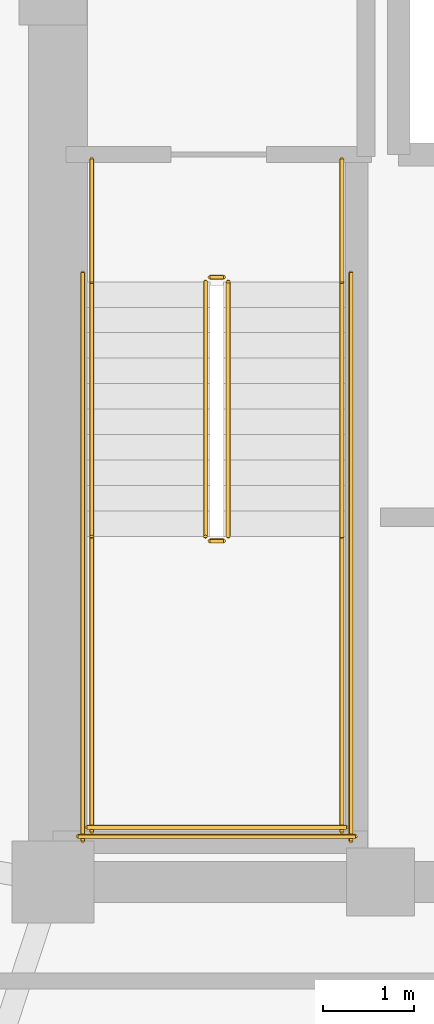
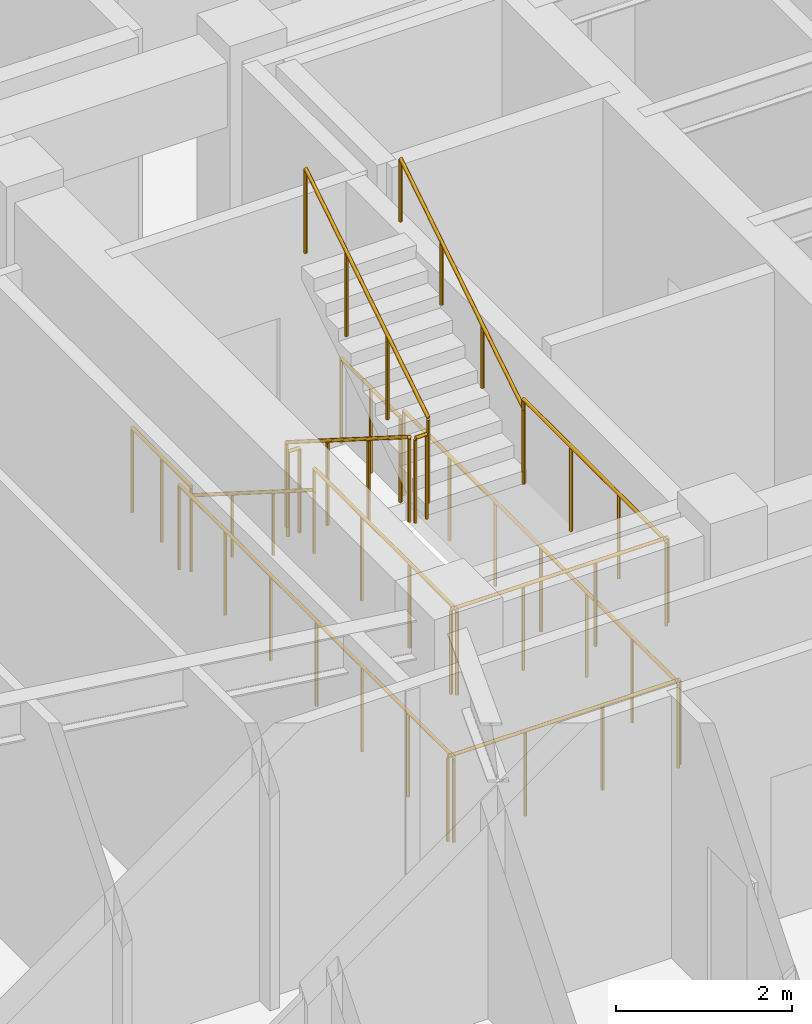
# One storey, part 10 of 11: 14 railings.
"""IFC4 building model written with IfcOpenShell, lengths in metres."""

from ifc_helpers import new_model, si_unit, direction, frame, origin, origin_2d, place, context, subcontext, project, spatial, circle, extrude, material, type_object, element, save


model = new_model("IFC4")

# Units and contexts
model_context = context("Model", 3, precision=1e-05, world=origin(), true_north=direction((0.0, 1.0)))
body_context = subcontext(model_context, "Body", "Model", "MODEL_VIEW")
ifc_project = project(units=[si_unit("LENGTHUNIT", "METRE"), si_unit("AREAUNIT", "SQUARE_METRE"), si_unit("VOLUMEUNIT", "CUBIC_METRE"), si_unit("PLANEANGLEUNIT", "RADIAN"), si_unit("MASSUNIT", "GRAM", prefix="KILO")], contexts=[model_context])

# Site, building, storey
site_placement = place(None, origin())
site = spatial("IfcSite", under=ifc_project, at=site_placement, CompositionType="ELEMENT")
building_placement = place(site_placement, origin())
building = spatial("IfcBuilding", under=site, at=building_placement, Name="Voryun Gate Residences", CompositionType="ELEMENT")
storey_placement = place(building_placement, frame((0.0, 0.0, 235.300048828125)))
storey = spatial("IfcBuildingStorey", under=building, at=storey_placement, Name="L58", CompositionType="ELEMENT", Elevation=235.300048828125)

# Railings
ifc_material_1 = material(Name="Painted steel", Category="steel")
railing_type_1 = type_object("IfcRailingType", Name="RAIL_STAIR_GUARD_1200", PredefinedType="GUARDRAIL", material=ifc_material_1)
railing_1_placement = place(storey_placement, frame((-17.52490234375, -0.800048828125, 0.17724609375)))
element("IfcRailing", 1, at=railing_1_placement, inside=storey, type_object=railing_type_1, Name="L58 ST-W1 stair guard 1", PredefinedType="GUARDRAIL", context=body_context, shape_type="SweptSolid", body=[
    extrude(circle(Radius=0.02392578125, at=origin_2d()), frame((0.0, 0.0, 1.17578125), z_axis=(0.0, -0.844908973607, 0.534910110503), x_axis=(1.0, 0.0, 0.0)), (0.0, 0.0, 1.0), 3.31396484375),
    extrude(circle(Radius=0.02099609375, at=origin_2d()), origin(), (0.0, 0.0, 1.0), 1.15185546875),
    extrude(circle(Radius=0.02099609375, at=origin_2d()), frame((0.0, -0.933349609375, 0.5908203125)), (0.0, 0.0, 1.0), 1.15185546875),
    extrude(circle(Radius=0.02099609375, at=origin_2d()), frame((0.0, -1.86669921875, 1.181884765625)), (0.0, 0.0, 1.0), 1.15185546875),
    extrude(circle(Radius=0.02099609375, at=origin_2d()), frame((0.0, -2.800048828125, 1.772705078125)), (0.0, 0.0, 1.0), 1.15185546875),
])
railing_2_placement = place(storey_placement, frame((-17.47509765625, -3.64990234375, 1.949951171875)))
element("IfcRailing", 2, at=railing_2_placement, inside=storey, type_object=railing_type_1, Name="L58 ST-W1 stair guard 2", PredefinedType="GUARDRAIL", context=body_context, shape_type="SweptSolid", body=[
    extrude(circle(Radius=0.02392578125, at=origin_2d()), frame((0.0, 0.0, 1.17578125), z_axis=(1.0, 0.0, 0.0), x_axis=(0.0, 1.0, 0.0)), (0.0, 0.0, 1.0), 0.150146484375),
    extrude(circle(Radius=0.02099609375, at=origin_2d()), origin(), (0.0, 0.0, 1.0), 1.15185546875),
    extrude(circle(Radius=0.02099609375, at=origin_2d()), frame((0.150146484375, 0.0, 0.0)), (0.0, 0.0, 1.0), 1.15185546875),
])
for number, where, name in (
    (3, (-18.77490234375, -3.60009765625, 1.949951171875), "L58 ST-W1 stair guard 3"),
    (4, (-16.02490234375, -3.60009765625, 1.949951171875), "L58 ST-W1 stair guard 4"),
):
    element("IfcRailing", number, at=place(storey_placement, frame(where)), inside=storey, type_object=railing_type_1, Name=name, PredefinedType="GUARDRAIL", context=body_context, shape_type="SweptSolid", body=[
        extrude(circle(Radius=0.02392578125, at=origin_2d()), frame((0.0, 0.0, 1.17578125), z_axis=(0.0, -1.0, 0.0), x_axis=(1.0, 0.0, 0.0)), (0.0, 0.0, 1.0), 3.25),
        extrude(circle(Radius=0.02099609375, at=origin_2d()), origin(), (0.0, 0.0, 1.0), 1.15185546875),
        extrude(circle(Radius=0.02099609375, at=origin_2d()), frame((0.0, -1.083251953125, 0.0)), (0.0, 0.0, 1.0), 1.15185546875),
        extrude(circle(Radius=0.02099609375, at=origin_2d()), frame((0.0, -2.166748046875, 0.0)), (0.0, 0.0, 1.0), 1.15185546875),
        extrude(circle(Radius=0.02099609375, at=origin_2d()), frame((0.0, -3.25, 0.0)), (0.0, 0.0, 1.0), 1.15185546875),
    ])
railing_3_placement = place(storey_placement, frame((-18.824951171875, -6.800048828125, 1.949951171875)))
element("IfcRailing", 5, at=railing_3_placement, inside=storey, type_object=railing_type_1, Name="L58 ST-W1 stair guard 5", PredefinedType="GUARDRAIL", context=body_context, shape_type="SweptSolid", body=[
    extrude(circle(Radius=0.02392578125, at=origin_2d()), frame((0.0, 0.0, 1.17578125), z_axis=(1.0, 0.0, 0.0), x_axis=(0.0, 1.0, 0.0)), (0.0, 0.0, 1.0), 2.849853515625),
    extrude(circle(Radius=0.02099609375, at=origin_2d()), origin(), (0.0, 0.0, 1.0), 1.15185546875),
    extrude(circle(Radius=0.02099609375, at=origin_2d()), frame((0.949951171875, 0.0, 0.0)), (0.0, 0.0, 1.0), 1.15185546875),
    extrude(circle(Radius=0.02099609375, at=origin_2d()), frame((1.89990234375, 0.0, 0.0)), (0.0, 0.0, 1.0), 1.15185546875),
    extrude(circle(Radius=0.02099609375, at=origin_2d()), frame((2.849853515625, 0.0, 0.0)), (0.0, 0.0, 1.0), 1.15185546875),
])
railing_4_placement = place(storey_placement, frame((-17.27490234375, -3.60009765625, 2.127197265625)))
element("IfcRailing", 6, at=railing_4_placement, inside=storey, type_object=railing_type_1, Name="L58 ST-W1 stair guard 6", PredefinedType="GUARDRAIL", context=body_context, shape_type="SweptSolid", body=[
    extrude(circle(Radius=0.02392578125, at=origin_2d()), frame((0.0, 0.0, 1.17578125), z_axis=(0.0, 0.844908973607, 0.534910110503), x_axis=(-1.0, 0.0, 0.0)), (0.0, 0.0, 1.0), 3.31396484375),
    extrude(circle(Radius=0.02099609375, at=origin_2d()), origin(), (0.0, 0.0, 1.0), 1.15185546875),
    extrude(circle(Radius=0.02099609375, at=origin_2d()), frame((0.0, 0.933349609375, 0.5908203125)), (0.0, 0.0, 1.0), 1.15185546875),
    extrude(circle(Radius=0.02099609375, at=origin_2d()), frame((0.0, 1.86669921875, 1.181884765625)), (0.0, 0.0, 1.0), 1.15185546875),
    extrude(circle(Radius=0.02099609375, at=origin_2d()), frame((0.0, 2.800048828125, 1.772705078125)), (0.0, 0.0, 1.0), 1.15185546875),
])
railing_5_placement = place(storey_placement, frame((-17.47509765625, -0.75, 0.0)))
element("IfcRailing", 7, at=railing_5_placement, inside=storey, type_object=railing_type_1, Name="L58 ST-W1 stair guard 7", PredefinedType="GUARDRAIL", context=body_context, shape_type="SweptSolid", body=[
    extrude(circle(Radius=0.02392578125, at=origin_2d()), frame((0.0, 0.0, 1.17578125), z_axis=(1.0, 0.0, 0.0), x_axis=(0.0, 1.0, 0.0)), (0.0, 0.0, 1.0), 0.150146484375),
    extrude(circle(Radius=0.02099609375, at=origin_2d()), origin(), (0.0, 0.0, 1.0), 1.15185546875),
    extrude(circle(Radius=0.02099609375, at=origin_2d()), frame((0.150146484375, 0.0, 0.0)), (0.0, 0.0, 1.0), 1.15185546875),
])
for number, where, name in (
    (8, (-18.77490234375, 0.550048828125, 0.0), "L58 ST-W1 stair guard 8"),
    (9, (-16.02490234375, 0.550048828125, 0.0), "L58 ST-W1 stair guard 9"),
):
    element("IfcRailing", number, at=place(storey_placement, frame(where)), inside=storey, type_object=railing_type_1, Name=name, PredefinedType="GUARDRAIL", context=body_context, shape_type="SweptSolid", body=[
        extrude(circle(Radius=0.02392578125, at=origin_2d()), frame((0.0, 0.0, 1.17578125), z_axis=(0.0, -1.0, 0.0), x_axis=(1.0, 0.0, 0.0)), (0.0, 0.0, 1.0), 1.35009765625),
        extrude(circle(Radius=0.02099609375, at=origin_2d()), origin(), (0.0, 0.0, 1.0), 1.15185546875),
        extrude(circle(Radius=0.02099609375, at=origin_2d()), frame((0.0, -0.675048828125, 0.0)), (0.0, 0.0, 1.0), 1.15185546875),
        extrude(circle(Radius=0.02099609375, at=origin_2d()), frame((0.0, -1.35009765625, 0.0)), (0.0, 0.0, 1.0), 1.15185546875),
    ])
for number, where, name in (
    (10, (-18.875, -0.699951171875, 0.0), "L58 ST-W1 stair guard 10"),
    (11, (-15.925048828125, -0.699951171875, 0.0), "L58 ST-W1 stair guard 11"),
):
    element("IfcRailing", number, at=place(storey_placement, frame(where)), inside=storey, type_object=railing_type_1, Name=name, PredefinedType="GUARDRAIL", context=body_context, shape_type="SweptSolid", body=[
        extrude(circle(Radius=0.02392578125, at=origin_2d()), frame((0.0, 0.0, 1.17578125), z_axis=(0.0, -1.0, 0.0), x_axis=(1.0, 0.0, 0.0)), (0.0, 0.0, 1.0), 6.25),
        extrude(circle(Radius=0.02099609375, at=origin_2d()), origin(), (0.0, 0.0, 1.0), 1.15185546875),
        extrude(circle(Radius=0.02099609375, at=origin_2d()), frame((0.0, -1.041748046875, 0.0)), (0.0, 0.0, 1.0), 1.15185546875),
        extrude(circle(Radius=0.02099609375, at=origin_2d()), frame((0.0, -2.083251953125, 0.0)), (0.0, 0.0, 1.0), 1.15185546875),
        extrude(circle(Radius=0.02099609375, at=origin_2d()), frame((0.0, -3.125, 0.0)), (0.0, 0.0, 1.0), 1.15185546875),
        extrude(circle(Radius=0.02099609375, at=origin_2d()), frame((0.0, -4.166748046875, 0.0)), (0.0, 0.0, 1.0), 1.15185546875),
        extrude(circle(Radius=0.02099609375, at=origin_2d()), frame((0.0, -5.208251953125, 0.0)), (0.0, 0.0, 1.0), 1.15185546875),
        extrude(circle(Radius=0.02099609375, at=origin_2d()), frame((0.0, -6.25, 0.0)), (0.0, 0.0, 1.0), 1.15185546875),
    ])
railing_6_placement = place(storey_placement, frame((-18.925048828125, -6.89990234375, 0.0)))
element("IfcRailing", 12, at=railing_6_placement, inside=storey, type_object=railing_type_1, Name="L58 ST-W1 stair guard 12", PredefinedType="GUARDRAIL", context=body_context, shape_type="SweptSolid", body=[
    extrude(circle(Radius=0.02392578125, at=origin_2d()), frame((0.0, 0.0, 1.17578125), z_axis=(1.0, 0.0, 0.0), x_axis=(0.0, 1.0, 0.0)), (0.0, 0.0, 1.0), 3.050048828125),
    extrude(circle(Radius=0.02099609375, at=origin_2d()), origin(), (0.0, 0.0, 1.0), 1.15185546875),
    extrude(circle(Radius=0.02099609375, at=origin_2d()), frame((1.0166015625, 0.0, 0.0)), (0.0, 0.0, 1.0), 1.15185546875),
    extrude(circle(Radius=0.02099609375, at=origin_2d()), frame((2.033447265625, 0.0, 0.0)), (0.0, 0.0, 1.0), 1.15185546875),
    extrude(circle(Radius=0.02099609375, at=origin_2d()), frame((3.050048828125, 0.0, 0.0)), (0.0, 0.0, 1.0), 1.15185546875),
])
ifc_material_2 = material(Name="Painted steel", Category="steel")
railing_type_2 = type_object("IfcRailingType", Name="RAIL_STAIR_HANDRAIL_900", PredefinedType="HANDRAIL", material=ifc_material_2)
railing_7_placement = place(storey_placement, frame((-18.77490234375, -0.800048828125, 0.17724609375)))
element("IfcRailing", 13, at=railing_7_placement, inside=storey, type_object=railing_type_2, Name="L58 ST-W1 stair handrail 1", PredefinedType="HANDRAIL", context=body_context, shape_type="SweptSolid", body=[
    extrude(circle(Radius=0.02392578125, at=origin_2d()), frame((0.0, 0.0, 0.8759765625), z_axis=(0.0, -0.844908973607, 0.534910110503), x_axis=(1.0, 0.0, 0.0)), (0.0, 0.0, 1.0), 3.31396484375),
    extrude(circle(Radius=0.02099609375, at=origin_2d()), origin(), (0.0, 0.0, 1.0), 0.851806640625),
    extrude(circle(Radius=0.02099609375, at=origin_2d()), frame((0.0, -0.933349609375, 0.5908203125)), (0.0, 0.0, 1.0), 0.851806640625),
    extrude(circle(Radius=0.02099609375, at=origin_2d()), frame((0.0, -1.86669921875, 1.181884765625)), (0.0, 0.0, 1.0), 0.851806640625),
    extrude(circle(Radius=0.02099609375, at=origin_2d()), frame((0.0, -2.800048828125, 1.772705078125)), (0.0, 0.0, 1.0), 0.851806640625),
])
railing_8_placement = place(storey_placement, frame((-16.02490234375, -3.60009765625, 2.127197265625)))
element("IfcRailing", 14, at=railing_8_placement, inside=storey, type_object=railing_type_2, Name="L58 ST-W1 stair handrail 2", PredefinedType="HANDRAIL", context=body_context, shape_type="SweptSolid", body=[
    extrude(circle(Radius=0.02392578125, at=origin_2d()), frame((0.0, 0.0, 0.8759765625), z_axis=(0.0, 0.844908973607, 0.534910110503), x_axis=(-1.0, 0.0, 0.0)), (0.0, 0.0, 1.0), 3.31396484375),
    extrude(circle(Radius=0.02099609375, at=origin_2d()), origin(), (0.0, 0.0, 1.0), 0.851806640625),
    extrude(circle(Radius=0.02099609375, at=origin_2d()), frame((0.0, 0.933349609375, 0.5908203125)), (0.0, 0.0, 1.0), 0.851806640625),
    extrude(circle(Radius=0.02099609375, at=origin_2d()), frame((0.0, 1.86669921875, 1.181884765625)), (0.0, 0.0, 1.0), 0.851806640625),
    extrude(circle(Radius=0.02099609375, at=origin_2d()), frame((0.0, 2.800048828125, 1.772705078125)), (0.0, 0.0, 1.0), 0.851806640625),
])

save(model, "model.ifc")
